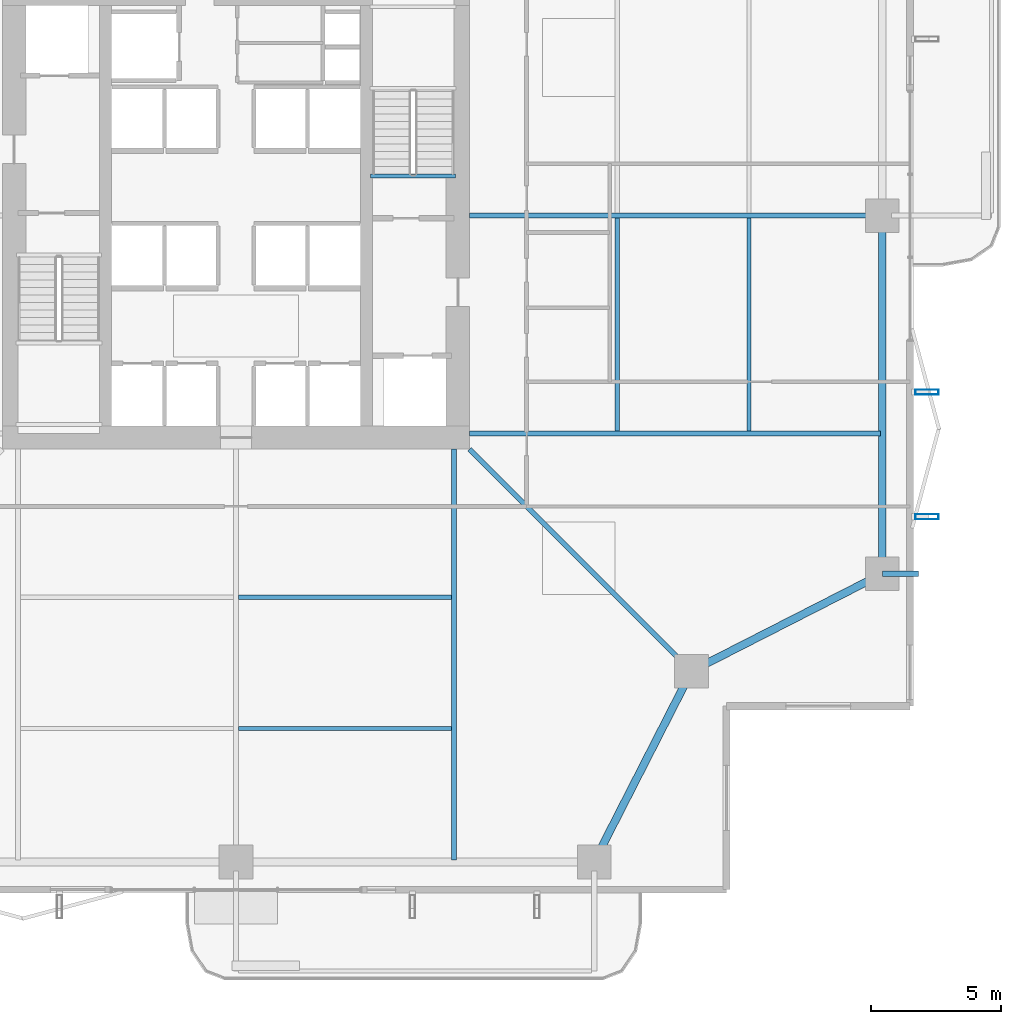
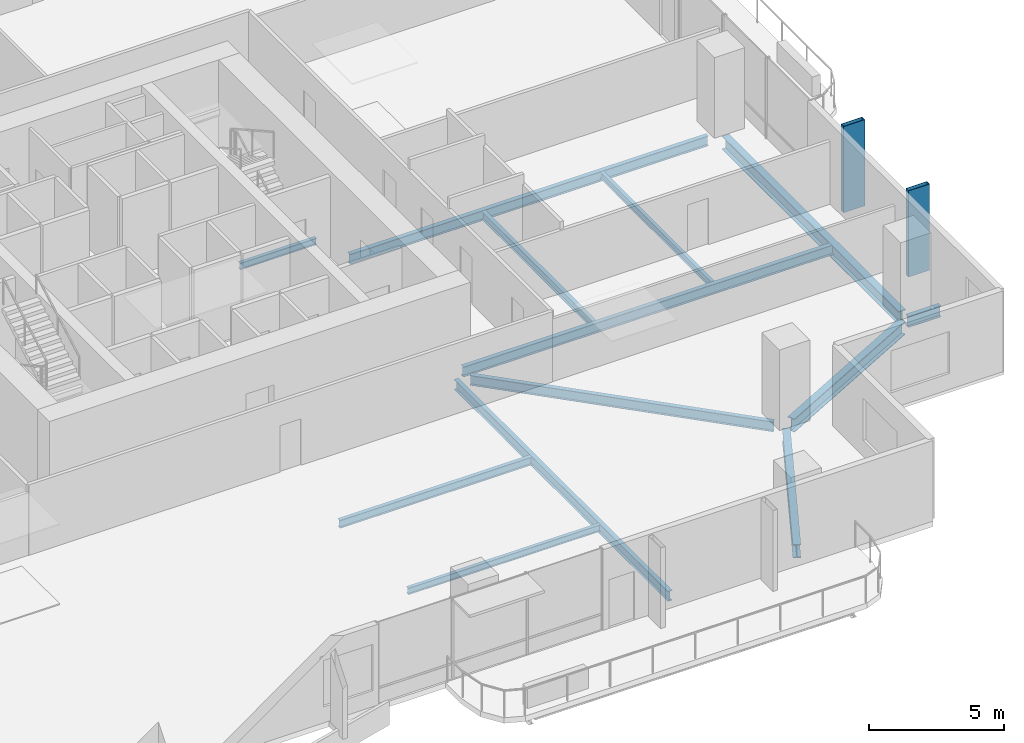
# One storey, part 7 of 24: 13 beams, 2 members.
"""IFC4 building model written with IfcOpenShell, lengths in metres."""

from ifc_helpers import new_model, si_unit, direction, frame, origin, origin_2d, place, context, subcontext, project, spatial, hollow_rectangle, i_section, extrude, material, material_profile, profile_set, type_object, element, save


model = new_model("IFC4")

# Units and contexts
model_context = context("Model", 3, precision=1e-05, world=origin(), true_north=direction((0.0, 1.0)))
body_context = subcontext(model_context, "Body", "Model", "MODEL_VIEW")
ifc_project = project(units=[si_unit("LENGTHUNIT", "METRE"), si_unit("AREAUNIT", "SQUARE_METRE"), si_unit("VOLUMEUNIT", "CUBIC_METRE"), si_unit("PLANEANGLEUNIT", "RADIAN"), si_unit("MASSUNIT", "GRAM", prefix="KILO")], contexts=[model_context])

# Site, building, storey
site_placement = place(None, origin())
site = spatial("IfcSite", under=ifc_project, at=site_placement, CompositionType="ELEMENT")
building_placement = place(site_placement, origin())
building = spatial("IfcBuilding", under=site, at=building_placement, Name="Belovzor Exchange Tower", CompositionType="ELEMENT")
storey_placement = place(building_placement, frame((0.0, 0.0, 129.0)))
storey = spatial("IfcBuildingStorey", under=building, at=storey_placement, Name="L31", CompositionType="ELEMENT", Elevation=129.0)

# Beams
ifc_material_1 = material(Name="Steel S355", Category="steel")
ifc_material_profile_1 = material_profile(ifc_material_1, i_section(OverallWidth=0.199951171875, OverallDepth=0.5, WebThickness=0.01025390625, FlangeThickness=0.01611328125, at=origin_2d()))
ifc_profile_set_1 = profile_set([ifc_material_profile_1], Name="Steel S355")
beam_type_1 = type_object("IfcBeamType", Name="Planted Balcony Cantilever Beam IPE 500", PredefinedType="BEAM", material=ifc_profile_set_1)
beam_1_placement = place(storey_placement, frame((53.699951171875, 15.0, -0.5), z_axis=(1.0, 0.0, 0.0), x_axis=(0.0, 1.0, 0.0)))
element("IfcBeam", 1, at=beam_1_placement, inside=storey, type_object=beam_type_1, Name="BC-500 Planted Balcony Cantilever Beam IPE 500", PredefinedType="BEAM", context=body_context, shape_type="SweptSolid", body=[
    extrude(i_section(OverallWidth=0.199951171875, OverallDepth=0.5, WebThickness=0.01025390625, FlangeThickness=0.01611328125, at=origin_2d()), origin(), (0.0, 0.0, 1.0), 1.400146484375),
])
ifc_material_2 = material(Name="Steel S355", Category="steel")
ifc_material_profile_2 = material_profile(ifc_material_2, i_section(OverallWidth=0.169921875, OverallDepth=0.360107421875, WebThickness=0.008056640625, FlangeThickness=0.0126953125, at=origin_2d()))
ifc_profile_set_2 = profile_set([ifc_material_profile_2], Name="Steel S355")
beam_type_2 = type_object("IfcBeamType", Name="Secondary Infill Floor Joist IPE 360", PredefinedType="BEAM", material=ifc_profile_set_2)
for number, where, z_axis, x_axis, name in (
    (2, (28.89501953125, 14.10302734375, -0.429931640625), (1.0, 0.0, 0.0), (0.0, 1.0, 0.0), "FJ-360 Secondary Infill Floor Joist IPE 360"),
    (3, (43.4970703125, 20.4951171875, -0.429931640625), (0.0, 1.0, 0.0), (-1.0, 0.0, 0.0), "FJ-360 Secondary Infill Floor Joist IPE 360"),
):
    element("IfcBeam", number, at=place(storey_placement, frame(where, z_axis=z_axis, x_axis=x_axis)), inside=storey, type_object=beam_type_2, Name=name, PredefinedType="BEAM", context=body_context, shape_type="SweptSolid", body=[
        extrude(i_section(OverallWidth=0.169921875, OverallDepth=0.360107421875, WebThickness=0.008056640625, FlangeThickness=0.0126953125, at=origin_2d()), origin(), (0.0, 0.0, 1.0), 8.2099609375),
    ])
ifc_material_3 = material(Name="Steel S355", Category="steel")
ifc_material_profile_3 = material_profile(ifc_material_3, i_section(OverallWidth=0.14990234375, OverallDepth=0.300048828125, WebThickness=0.007080078125, FlangeThickness=0.0107421875, at=origin_2d()))
ifc_profile_set_3 = profile_set([ifc_material_profile_3], Name="Steel S355")
beam_type_3 = type_object("IfcBeamType", Name="Secondary Trim Floor Joist IPE 300", PredefinedType="BEAM", material=ifc_profile_set_3)
beam_2_placement = place(storey_placement, frame((37.260009765625, 30.320068359375, -0.39990234375), z_axis=(-1.0, 0.0, 0.0), x_axis=(0.0, -1.0, 0.0)))
element("IfcBeam", 4, at=beam_2_placement, inside=storey, type_object=beam_type_3, Name="FJ-300 Secondary Trim Floor Joist IPE 300", PredefinedType="BEAM", context=body_context, shape_type="SweptSolid", body=[
    extrude(i_section(OverallWidth=0.14990234375, OverallDepth=0.300048828125, WebThickness=0.007080078125, FlangeThickness=0.0107421875, at=origin_2d()), origin(), (0.0, 0.0, 1.0), 3.27001953125),
])
for number, where, z_axis, x_axis, name in (
    (5, (28.89501953125, 9.0390625, -0.39990234375), (1.0, 0.0, 0.0), (0.0, 1.0, 0.0), "FJ-300 Secondary Trim Floor Joist IPE 300"),
    (6, (48.56103515625, 20.4951171875, -0.39990234375), (0.0, 1.0, 0.0), (-1.0, 0.0, 0.0), "FJ-300 Secondary Trim Floor Joist IPE 300"),
):
    element("IfcBeam", number, at=place(storey_placement, frame(where, z_axis=z_axis, x_axis=x_axis)), inside=storey, type_object=beam_type_3, Name=name, PredefinedType="BEAM", context=body_context, shape_type="SweptSolid", body=[
        extrude(i_section(OverallWidth=0.14990234375, OverallDepth=0.300048828125, WebThickness=0.007080078125, FlangeThickness=0.0107421875, at=origin_2d()), origin(), (0.0, 0.0, 1.0), 8.2099609375),
    ])

# Members
ifc_material_4 = material(Name="Extruded Architectural Terracotta on Steel S355 Carrier", Category="masonry")
ifc_material_profile_4 = material_profile(ifc_material_4, hollow_rectangle(XDim=0.199951171875, YDim=0.89990234375, WallThickness=0.011962890625, at=origin_2d()))
ifc_profile_set_4 = profile_set([ifc_material_profile_4], Name="Extruded Architectural Terracotta on Steel S355 Carrier")
member_type = type_object("IfcMemberType", Name="Sweeping Terracotta Baguette Fin Assembly 1250", PredefinedType="USERDEFINED", material=ifc_profile_set_4)
for number, where, z_axis, x_axis, name in (
    (7, (55.425048828125, 17.199951171875, -0.25), (0.0, 0.0, 1.0), (0.0, 1.0, 0.0), "FIN-TC125 Terracotta Facade Fin L31 E1"),
    (8, (55.425048828125, 22.0, -0.25), (0.0, 0.0, 1.0), (0.0, 1.0, 0.0), "FIN-TC125 Terracotta Facade Fin L31 E2"),
):
    element("IfcMember", number, at=place(storey_placement, frame(where, z_axis=z_axis, x_axis=x_axis)), inside=storey, type_object=member_type, Name=name, ObjectType="FIN", PredefinedType="USERDEFINED", context=body_context, shape_type="SweptSolid", body=[
        extrude(hollow_rectangle(XDim=0.199951171875, YDim=0.89990234375, WallThickness=0.011962890625, at=origin_2d()), origin(), (0.0, 0.0, 1.0), 3.89990234375),
    ])

# Beams
ifc_material_5 = material(Name="Steel S355", Category="steel")
ifc_material_profile_5 = material_profile(ifc_material_5, i_section(OverallWidth=0.300048828125, OverallDepth=0.60009765625, WebThickness=0.015380859375, FlangeThickness=0.030029296875, at=origin_2d()))
ifc_profile_set_5 = profile_set([ifc_material_profile_5], Name="Steel S355")
beam_type_4 = type_object("IfcBeamType", Name="Zone 2 Primary Perimeter Girder HEB 600", PredefinedType="BEAM", material=ifc_profile_set_5)
for number, where, z_axis, x_axis, name in (
    (9, (42.761962890625, 4.218017578125, -0.550048828125), (0.454531706448, 0.890730558493, 0.0), (-0.890730558493, 0.454531706448, 0.0), "FG-Z2 Zone 2 Primary Perimeter Girder HEB 600"),
    (10, (46.66796875, 11.412109375, -0.550048828125), (0.890750362822, 0.454492894481, 0.0), (-0.454492894481, 0.890750362822, 0.0), "FG-Z2 Zone 2 Primary Perimeter Girder HEB 600"),
):
    element("IfcBeam", number, at=place(storey_placement, frame(where, z_axis=z_axis, x_axis=x_axis)), inside=storey, type_object=beam_type_4, Name=name, PredefinedType="BEAM", context=body_context, shape_type="SweptSolid", body=[
        extrude(i_section(OverallWidth=0.300048828125, OverallDepth=0.60009765625, WebThickness=0.015380859375, FlangeThickness=0.030029296875, at=origin_2d()), origin(), (0.0, 0.0, 1.0), 7.53759765625),
    ])
beam_3_placement = place(storey_placement, frame((53.699951171875, 15.35693359375, -0.550048828125), z_axis=(0.0, 1.0, 0.0), x_axis=(-1.0, 0.0, 0.0)))
element("IfcBeam", 11, at=beam_3_placement, inside=storey, type_object=beam_type_4, Name="FG-Z2 Zone 2 Primary Perimeter Girder HEB 600", PredefinedType="BEAM", context=body_context, shape_type="SweptSolid", body=[
    extrude(i_section(OverallWidth=0.300048828125, OverallDepth=0.60009765625, WebThickness=0.015380859375, FlangeThickness=0.030029296875, at=origin_2d()), origin(), (0.0, 0.0, 1.0), 13.0849609375),
])
ifc_material_6 = material(Name="Steel S355", Category="steel")
ifc_material_profile_6 = material_profile(ifc_material_6, i_section(OverallWidth=0.18994140625, OverallDepth=0.449951171875, WebThickness=0.009521484375, FlangeThickness=0.0146484375, at=origin_2d()))
ifc_profile_set_6 = profile_set([ifc_material_profile_6], Name="Steel S355")
beam_type_5 = type_object("IfcBeamType", Name="Zone 2-4 Radial Composite Floor Beam IPE 450", PredefinedType="BEAM", material=ifc_profile_set_6)
for number, where, z_axis, x_axis, name in (
    (12, (37.199951171875, 19.800048828125, -0.47509765625), (0.0, -1.0, 0.0), (1.0, 0.0, 0.0), "FB-450 Zone 2-4 Radial Composite Floor Beam IPE 450"),
    (13, (37.800048828125, 20.39990234375, -0.47509765625), (1.0, 0.0, 0.0), (0.0, 1.0, 0.0), "FB-450 Zone 2-4 Radial Composite Floor Beam IPE 450"),
):
    element("IfcBeam", number, at=place(storey_placement, frame(where, z_axis=z_axis, x_axis=x_axis)), inside=storey, type_object=beam_type_5, Name=name, PredefinedType="BEAM", context=body_context, shape_type="SweptSolid", body=[
        extrude(i_section(OverallWidth=0.18994140625, OverallDepth=0.449951171875, WebThickness=0.009521484375, FlangeThickness=0.0146484375, at=origin_2d()), origin(), (0.0, 0.0, 1.0), 15.824951171875),
    ])
beam_4_placement = place(storey_placement, frame((37.800048828125, 28.800048828125, -0.47509765625), z_axis=(1.0, 0.0, 0.0), x_axis=(0.0, 1.0, 0.0)))
element("IfcBeam", 14, at=beam_4_placement, inside=storey, type_object=beam_type_5, Name="FB-450 Zone 2-4 Radial Composite Floor Beam IPE 450", PredefinedType="BEAM", context=body_context, shape_type="SweptSolid", body=[
    extrude(i_section(OverallWidth=0.18994140625, OverallDepth=0.449951171875, WebThickness=0.009521484375, FlangeThickness=0.0146484375, at=origin_2d()), origin(), (0.0, 0.0, 1.0), 15.327880859375),
])
beam_5_placement = place(storey_placement, frame((37.800048828125, 19.800048828125, -0.47509765625), z_axis=(0.70709628664, -0.707117275577, 0.0), x_axis=(0.707117275577, 0.70709628664, 0.0)))
element("IfcBeam", 15, at=beam_5_placement, inside=storey, type_object=beam_type_5, Name="FB-450 Zone 2-4 Radial Composite Floor Beam IPE 450", PredefinedType="BEAM", context=body_context, shape_type="SweptSolid", body=[
    extrude(i_section(OverallWidth=0.18994140625, OverallDepth=0.449951171875, WebThickness=0.009521484375, FlangeThickness=0.0146484375, at=origin_2d()), origin(), (0.0, 0.0, 1.0), 11.6318359375),
])

save(model, "model.ifc")
